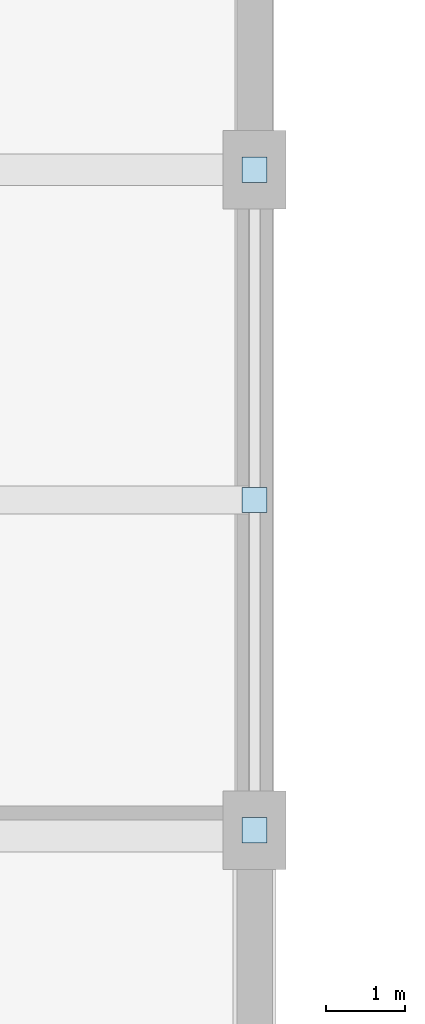
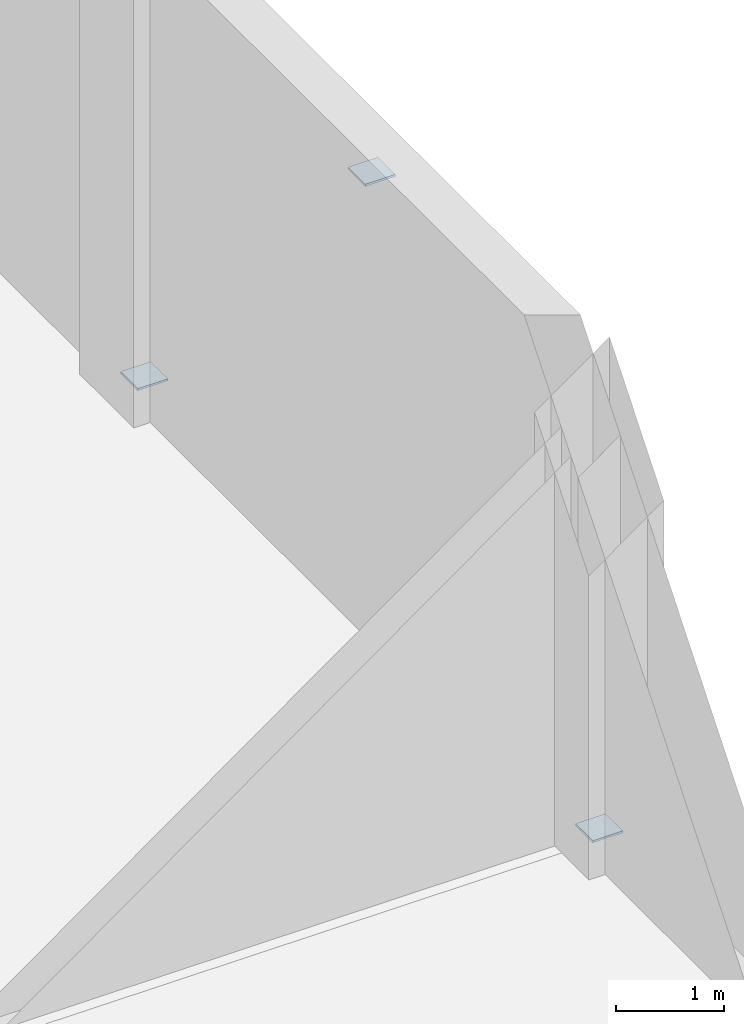
# One storey, part 63 of 82: 3 plates.
"""IFC4 building model written with IfcOpenShell, lengths in metres."""

from ifc_helpers import new_model, si_unit, derived_unit, direction, frame, origin, origin_2d, place, context, subcontext, project, spatial, rectangle, extrude, material, layer, layer_set, type_object, element, save


model = new_model("IFC4")

# Units and contexts
model_context = context("Model", 3, precision=1e-05, world=origin(), true_north=direction((0.0, 1.0)))
body_context = subcontext(model_context, "Body", "Model", "MODEL_VIEW")
ifc_project = project(units=[si_unit("LENGTHUNIT", "METRE"), si_unit("AREAUNIT", "SQUARE_METRE"), si_unit("VOLUMEUNIT", "CUBIC_METRE"), si_unit("PLANEANGLEUNIT", "RADIAN"), si_unit("MASSUNIT", "GRAM", prefix="KILO"), derived_unit("THERMALTRANSMITTANCEUNIT", [(si_unit("POWERUNIT", "WATT"), 1), (si_unit("LENGTHUNIT", "METRE"), -2), (si_unit("THERMODYNAMICTEMPERATUREUNIT", "KELVIN"), -1)])], contexts=[model_context])

# Site, building, storey
site_placement = place(None, origin())
site = spatial("IfcSite", under=ifc_project, at=site_placement, CompositionType="ELEMENT")
building_placement = place(site_placement, origin())
building = spatial("IfcBuilding", under=site, at=building_placement, Name="Barrovel Congress Hotel", CompositionType="ELEMENT")
storey_placement = place(building_placement, origin())
storey = spatial("IfcBuildingStorey", under=building, at=storey_placement, Name="L00", CompositionType="ELEMENT", Elevation=0.0)

# Plates
ifc_material = material(Name="Steel ASTM A992 Grade 50", Category="steel")
ifc_layer = layer(ifc_material, 0.02392578125)
ifc_layer_set = layer_set([ifc_layer], Name="Steel ASTM A992 Grade 50")
plate_type = type_object("IfcPlateType", Name="GP-24", PredefinedType="SHEET", material=ifc_layer_set)
for number, where, z_axis, x_axis, name in (
    (1, (176.39990234375, 37.800048828125, 0.1279296875), (0.0, 0.0, 1.0), (1.0, 0.0, 0.0), "Braced Frame Gusset Plate L00 BF4 BL"),
    (2, (176.39990234375, 46.199951171875, 0.1279296875), (0.0, 0.0, 1.0), (1.0, 0.0, 0.0), "Braced Frame Gusset Plate L00 BF4 BR"),
    (3, (176.39990234375, 42.0, 4.97802734375), (0.0, 0.0, 1.0), (1.0, 0.0, 0.0), "Braced Frame Gusset Plate L00 BF4 AP"),
):
    element("IfcPlate", number, at=place(storey_placement, frame(where, z_axis=z_axis, x_axis=x_axis)), inside=storey, type_object=plate_type, Name=name, PredefinedType="SHEET", context=body_context, shape_type="SweptSolid", body=[
        extrude(rectangle(XDim=0.320068359375, YDim=0.320068359375, at=origin_2d()), origin(), (0.0, 0.0, 1.0), 0.02392578125),
    ])

save(model, "model.ifc")
